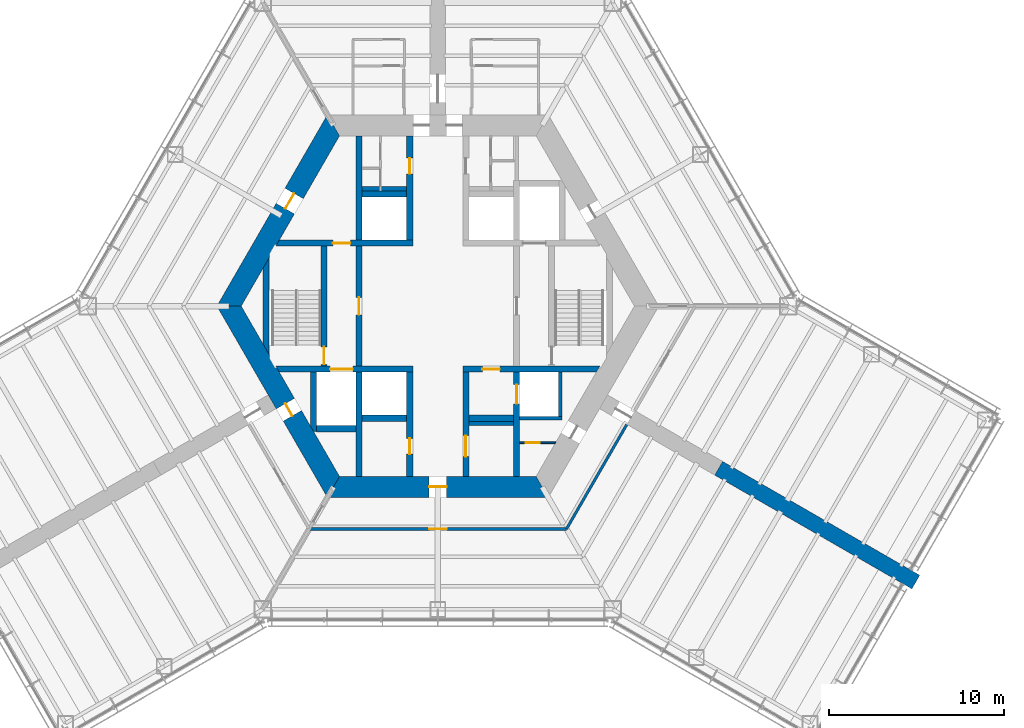
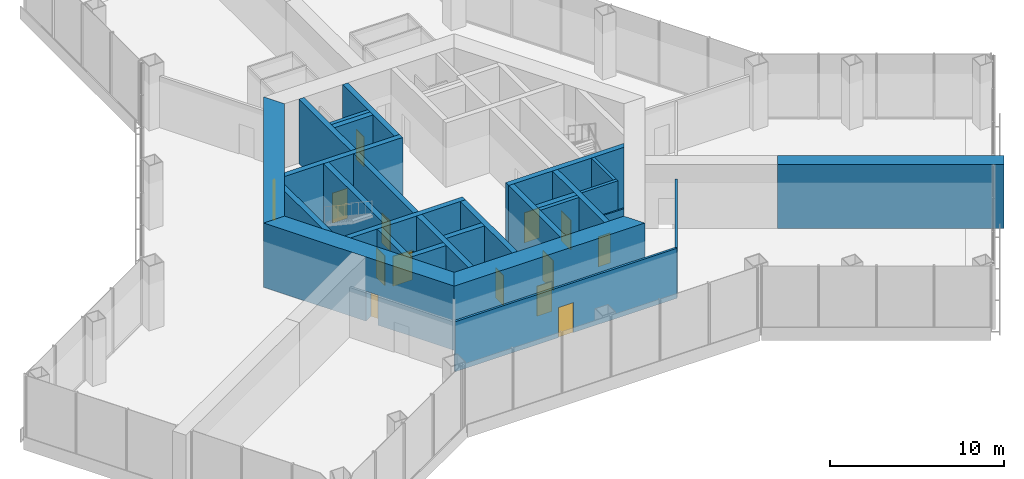
# One storey, part 9 of 13: 28 walls, 14 doors, 14 openings.
"""IFC4 building model written with IfcOpenShell, lengths in metres."""

from ifc_helpers import new_model, si_unit, direction, frame, frame_2d, origin, place, context, subcontext, project, spatial, polyline, rectangle, outline, extrude, material, layer, layer_set, type_object, element, fill, save


model = new_model("IFC4")

# Units and contexts
model_context = context("Model", 3, precision=1e-05, world=origin(), true_north=direction((0.0, 1.0)))
body_context = subcontext(model_context, "Body", "Model", "MODEL_VIEW")
ifc_project = project(units=[si_unit("LENGTHUNIT", "METRE"), si_unit("AREAUNIT", "SQUARE_METRE"), si_unit("VOLUMEUNIT", "CUBIC_METRE"), si_unit("PLANEANGLEUNIT", "RADIAN"), si_unit("MASSUNIT", "GRAM", prefix="KILO")], contexts=[model_context])

# Site, building, storey
site_placement = place(None, origin())
site = spatial("IfcSite", under=ifc_project, at=site_placement, CompositionType="ELEMENT")
building_placement = place(site_placement, origin())
building = spatial("IfcBuilding", under=site, at=building_placement, Name="Kasaneha Research Tower", CompositionType="ELEMENT")
storey_placement = place(building_placement, frame((0.0, 0.0, 5.5)))
storey = spatial("IfcBuildingStorey", under=building, at=storey_placement, Name="L02", CompositionType="ELEMENT", Elevation=5.5)

# Wall, opening, door
ifc_material_1 = material(Name="Concrete Fc100", Category="concrete")
ifc_layer_1 = layer(ifc_material_1, 0.35009765625)
ifc_layer_set_1 = layer_set([ifc_layer_1], Name="Core internal wall 350 Fc100")
wall_type_1 = type_object("IfcWallType", Name="Core internal wall 350 Fc100", PredefinedType="SHEAR", material=ifc_layer_set_1)
wall_1_placement = place(storey_placement, frame((-9.151123046875, 3.60009765625, 0.0), z_axis=(0.0, 0.0, 1.0), x_axis=(1.0, 0.0, 0.0)))
wall_1 = element("IfcWall", 1, at=wall_1_placement, inside=storey, type_object=wall_type_1, Name="Core wall W1W L02", PredefinedType="SHEAR", context=body_context, shape_type="SweptSolid", body=[
    extrude(outline(polyline([(-0.10107421875, -0.175048828125), (3.151123046875, -0.175048828125), (4.151123046875, -0.175048828125), (7.72607421875, -0.175048828125), (7.72607421875, 0.175048828125), (4.151123046875, 0.175048828125), (3.151123046875, 0.175048828125), (0.10107421875, 0.175048828125), (-0.10107421875, -0.175048828125)])), origin(), (0.0, 0.0, 1.0), 4.5),
])
opening_1_placement = place(wall_1_placement, frame((3.151123046875, 0.0, 0.0)))
opening_1 = element("IfcOpeningElement", 2, at=opening_1_placement, cuts=wall_1, Name="Opening L02-D12", PredefinedType="OPENING", context=body_context, shape_type="SweptSolid", body=[
    extrude(rectangle(XDim=1.0, YDim=2.10009765625, at=frame_2d((0.5, 1.050048828125))), frame((0.0, 0.18505859375, 0.0), z_axis=(0.0, -1.0, 0.0), x_axis=(1.0, 0.0, 0.0)), (0.0, 0.0, 1.0), 0.3701171875),
])
ifc_material_2 = material(Name="Steel", Category="steel")
door_type_1 = type_object("IfcDoorType", Name="Specified fire door FD60 1000x2100", OperationType="NOTDEFINED", PredefinedType="DOOR", material=ifc_material_2)
door_1_placement = place(opening_1_placement, origin())
door_1 = element("IfcDoor", 3, at=door_1_placement, inside=storey, type_object=door_type_1, Name="Vestibule to lobby door L02-D12", OperationType="SINGLE_SWING_LEFT", OverallHeight=2.10009765625, OverallWidth=1.0, PredefinedType="DOOR", context=body_context, shape_type="SweptSolid", body=[
    extrude(rectangle(XDim=1.0, YDim=2.10009765625, at=frame_2d((0.5, 1.050048828125))), frame((0.0, 0.02490234375, 0.0), z_axis=(0.0, -1.0, 0.0), x_axis=(1.0, 0.0, 0.0)), (0.0, 0.0, 1.0), 0.050048828125),
])
fill(opening_1, door_1)

wall_2_placement = place(storey_placement, frame((-9.151123046875, -3.60009765625, 0.0), z_axis=(0.0, 0.0, 1.0), x_axis=(1.0, 0.0, 0.0)))
wall_2 = element("IfcWall", 4, at=wall_2_placement, inside=storey, type_object=wall_type_1, Name="Core wall W2W L02", PredefinedType="SHEAR", context=body_context, shape_type="SweptSolid", body=[
    extrude(outline(polyline([(0.10107421875, -0.175048828125), (3.0009765625, -0.175048828125), (4.301025390625, -0.175048828125), (7.72607421875, -0.175048828125), (7.72607421875, 0.175048828125), (4.301025390625, 0.175048828125), (3.0009765625, 0.175048828125), (-0.10107421875, 0.175048828125), (0.10107421875, -0.175048828125)])), origin(), (0.0, 0.0, 1.0), 4.5),
])
opening_2_placement = place(wall_2_placement, frame((3.0009765625, 0.0, 0.0)))
opening_2 = element("IfcOpeningElement", 5, at=opening_2_placement, cuts=wall_2, Name="Opening LD-FL2-L02", PredefinedType="OPENING", context=body_context, shape_type="SweptSolid", body=[
    extrude(rectangle(XDim=1.300048828125, YDim=2.10009765625, at=frame_2d((0.64990234375, 1.050048828125))), frame((0.0, 0.18505859375, 0.0), z_axis=(0.0, -1.0, 0.0), x_axis=(1.0, 0.0, 0.0)), (0.0, 0.0, 1.0), 0.3701171875),
])
ifc_material_3 = material(Name="Steel", Category="steel")
door_type_2 = type_object("IfcDoorType", Name="Lift landing door 1300x2100", OperationType="DOUBLE_DOOR_SLIDING", PredefinedType="DOOR", material=ifc_material_3)
door_2_placement = place(opening_2_placement, origin())
door_2 = element("IfcDoor", 6, at=door_2_placement, inside=storey, type_object=door_type_2, Name="Landing door FL2 LD-FL2-L02", OperationType="DOUBLE_DOOR_SLIDING", OverallHeight=2.10009765625, OverallWidth=1.300048828125, PredefinedType="DOOR", context=body_context, shape_type="SweptSolid", body=[
    extrude(rectangle(XDim=1.300048828125, YDim=2.10009765625, at=frame_2d((0.64990234375, 1.050048828125))), frame((0.0, 0.02490234375, 0.0), z_axis=(0.0, -1.0, 0.0), x_axis=(1.0, 0.0, 0.0)), (0.0, 0.0, 1.0), 0.050048828125),
])
fill(opening_2, door_2)

wall_3_placement = place(storey_placement, frame((1.425048828125, -3.60009765625, 0.0), z_axis=(0.0, 0.0, 1.0), x_axis=(1.0, 0.0, 0.0)))
wall_3 = element("IfcWall", 7, at=wall_3_placement, inside=storey, type_object=wall_type_1, Name="Core wall W2E L02", PredefinedType="SHEAR", context=body_context, shape_type="SweptSolid", body=[
    extrude(outline(polyline([(0.0, -0.175048828125), (1.125, -0.175048828125), (2.125, -0.175048828125), (7.625, -0.175048828125), (7.8271484375, 0.175048828125), (2.125, 0.175048828125), (1.125, 0.175048828125), (0.0, 0.175048828125), (0.0, -0.175048828125)])), origin(), (0.0, 0.0, 1.0), 4.5),
])
opening_3_placement = place(wall_3_placement, frame((1.125, 0.0, 0.0)))
opening_3 = element("IfcOpeningElement", 8, at=opening_3_placement, cuts=wall_3, Name="Opening L02-LV", PredefinedType="OPENING", context=body_context, shape_type="SweptSolid", body=[
    extrude(rectangle(XDim=1.0, YDim=2.10009765625, at=frame_2d((0.5, 1.050048828125))), frame((0.0, 0.18505859375, 0.0), z_axis=(0.0, -1.0, 0.0), x_axis=(1.0, 0.0, 0.0)), (0.0, 0.0, 1.0), 0.3701171875),
])
door_3_placement = place(opening_3_placement, origin())
door_3 = element("IfcDoor", 9, at=door_3_placement, inside=storey, type_object=door_type_1, Name="Podium vestibule door L02-LV", OperationType="SINGLE_SWING_LEFT", OverallHeight=2.10009765625, OverallWidth=1.0, PredefinedType="DOOR", context=body_context, shape_type="SweptSolid", body=[
    extrude(rectangle(XDim=1.0, YDim=2.10009765625, at=frame_2d((0.5, 1.050048828125))), frame((0.0, 0.02490234375, 0.0), z_axis=(0.0, -1.0, 0.0), x_axis=(1.0, 0.0, 0.0)), (0.0, 0.0, 1.0), 0.050048828125),
])
fill(opening_3, door_3)

wall_4_placement = place(storey_placement, frame((-1.60009765625, 3.77490234375, 0.0), z_axis=(0.0, 0.0, 1.0), x_axis=(0.0, 1.0, 0.0)))
wall_4 = element("IfcWall", 10, at=wall_4_placement, inside=storey, type_object=wall_type_1, Name="Core wall CNW L02", PredefinedType="SHEAR", context=body_context, shape_type="SweptSolid", body=[
    extrude(rectangle(XDim=5.9501953125, YDim=0.35009765625, at=frame_2d((2.97509765625, 0.0))), origin(), (0.0, 0.0, 1.0), 4.5),
])
opening_4_placement = place(wall_4_placement, frame((3.77490234375, 0.0, 0.0)))
opening_4 = element("IfcOpeningElement", 11, at=opening_4_placement, cuts=wall_4, Name="Opening L02-D13", PredefinedType="OPENING", context=body_context, shape_type="SweptSolid", body=[
    extrude(rectangle(XDim=0.89990234375, YDim=2.10009765625, at=frame_2d((0.449951171875, 1.050048828125))), frame((0.0, 0.18505859375, 0.0), z_axis=(0.0, -1.0, 0.0), x_axis=(1.0, 0.0, 0.0)), (0.0, 0.0, 1.0), 0.3701171875),
])
ifc_material_4 = material(Name="Steel", Category="steel")
door_type_3 = type_object("IfcDoorType", Name="Toilet door FD20 900x2100", OperationType="NOTDEFINED", PredefinedType="DOOR", material=ifc_material_4)
door_4_placement = place(opening_4_placement, origin())
door_4 = element("IfcDoor", 12, at=door_4_placement, inside=storey, type_object=door_type_3, Name="Men's WC door L02-D13", OperationType="SINGLE_SWING_LEFT", OverallHeight=2.10009765625, OverallWidth=0.89990234375, PredefinedType="DOOR", context=body_context, shape_type="SweptSolid", body=[
    extrude(rectangle(XDim=0.89990234375, YDim=2.10009765625, at=frame_2d((0.449951171875, 1.050048828125))), frame((0.0, 0.02490234375, 0.0), z_axis=(0.0, -1.0, 0.0), x_axis=(1.0, 0.0, 0.0)), (0.0, 0.0, 1.0), 0.050048828125),
])
fill(opening_4, door_4)

wall_5_placement = place(storey_placement, frame((-1.60009765625, -3.77490234375, 0.0), z_axis=(0.0, 0.0, 1.0), x_axis=(0.0, -1.0, 0.0)))
wall_5 = element("IfcWall", 13, at=wall_5_placement, inside=storey, type_object=wall_type_1, Name="Core wall CSW L02", PredefinedType="SHEAR", context=body_context, shape_type="SweptSolid", body=[
    extrude(rectangle(XDim=5.9501953125, YDim=0.35009765625, at=frame_2d((2.97509765625, 0.0))), origin(), (0.0, 0.0, 1.0), 4.5),
])
opening_5_placement = place(wall_5_placement, frame((3.77490234375, 0.0, 0.0)))
opening_5 = element("IfcOpeningElement", 14, at=opening_5_placement, cuts=wall_5, Name="Opening L02-D16", PredefinedType="OPENING", context=body_context, shape_type="SweptSolid", body=[
    extrude(rectangle(XDim=0.89990234375, YDim=2.10009765625, at=frame_2d((0.449951171875, 1.050048828125))), frame((0.0, 0.18505859375, 0.0), z_axis=(0.0, -1.0, 0.0), x_axis=(1.0, 0.0, 0.0)), (0.0, 0.0, 1.0), 0.3701171875),
])
ifc_material_5 = material(Name="Steel", Category="steel")
door_type_4 = type_object("IfcDoorType", Name="Riser access door FD60 900x2100", OperationType="NOTDEFINED", PredefinedType="DOOR", material=ifc_material_5)
door_5_placement = place(opening_5_placement, origin())
door_5 = element("IfcDoor", 15, at=door_5_placement, inside=storey, type_object=door_type_4, Name="Electrical riser door L02-D16", OperationType="SINGLE_SWING_LEFT", OverallHeight=2.10009765625, OverallWidth=0.89990234375, PredefinedType="DOOR", context=body_context, shape_type="SweptSolid", body=[
    extrude(rectangle(XDim=0.89990234375, YDim=2.10009765625, at=frame_2d((0.449951171875, 1.050048828125))), frame((0.0, 0.02490234375, 0.0), z_axis=(0.0, -1.0, 0.0), x_axis=(1.0, 0.0, 0.0)), (0.0, 0.0, 1.0), 0.050048828125),
])
fill(opening_5, door_5)

wall_6_placement = place(storey_placement, frame((1.60009765625, -3.77490234375, 0.0), z_axis=(0.0, 0.0, 1.0), x_axis=(0.0, -1.0, 0.0)))
wall_6 = element("IfcWall", 16, at=wall_6_placement, inside=storey, type_object=wall_type_1, Name="Core wall CSE L02", PredefinedType="SHEAR", context=body_context, shape_type="SweptSolid", body=[
    extrude(rectangle(XDim=5.9501953125, YDim=0.35009765625, at=frame_2d((2.97509765625, 0.0))), origin(), (0.0, 0.0, 1.0), 4.5),
])
opening_6_placement = place(wall_6_placement, frame((3.625, 0.0, 0.0)))
opening_6 = element("IfcOpeningElement", 17, at=opening_6_placement, cuts=wall_6, Name="Opening L02-D15", PredefinedType="OPENING", context=body_context, shape_type="SweptSolid", body=[
    extrude(rectangle(XDim=1.199951171875, YDim=2.10009765625, at=frame_2d((0.60009765625, 1.050048828125))), frame((0.0, 0.18505859375, 0.0), z_axis=(0.0, -1.0, 0.0), x_axis=(1.0, 0.0, 0.0)), (0.0, 0.0, 1.0), 0.3701171875),
])
ifc_material_6 = material(Name="Steel", Category="steel")
door_type_5 = type_object("IfcDoorType", Name="Accessible toilet sliding door FD20 1200x2100", OperationType="SLIDING_TO_LEFT", PredefinedType="DOOR", material=ifc_material_6)
door_6_placement = place(opening_6_placement, origin())
door_6 = element("IfcDoor", 18, at=door_6_placement, inside=storey, type_object=door_type_5, Name="Accessible WC door L02-D15", OperationType="SLIDING_TO_LEFT", OverallHeight=2.10009765625, OverallWidth=1.199951171875, PredefinedType="DOOR", context=body_context, shape_type="SweptSolid", body=[
    extrude(rectangle(XDim=1.199951171875, YDim=2.10009765625, at=frame_2d((0.60009765625, 1.050048828125))), frame((0.0, 0.02490234375, 0.0), z_axis=(0.0, -1.0, 0.0), x_axis=(1.0, 0.0, 0.0)), (0.0, 0.0, 1.0), 0.050048828125),
])
fill(opening_6, door_6)

wall_7_placement = place(storey_placement, frame((-4.5, -3.425048828125, 0.0), z_axis=(0.0, 0.0, 1.0), x_axis=(0.0, 1.0, 0.0)))
wall_7 = element("IfcWall", 19, at=wall_7_placement, inside=storey, type_object=wall_type_1, Name="Core wall LBW L02", PredefinedType="SHEAR", context=body_context, shape_type="SweptSolid", body=[
    extrude(rectangle(XDim=6.85009765625, YDim=0.35009765625, at=frame_2d((3.425048828125, 0.0))), origin(), (0.0, 0.0, 1.0), 4.5),
])
opening_7_placement = place(wall_7_placement, frame((2.925048828125, 0.0, 0.0)))
opening_7 = element("IfcOpeningElement", 20, at=opening_7_placement, cuts=wall_7, Name="Opening L02-D09", PredefinedType="OPENING", context=body_context, shape_type="SweptSolid", body=[
    extrude(rectangle(XDim=1.0, YDim=2.10009765625, at=frame_2d((0.5, 1.050048828125))), frame((0.0, 0.18505859375, 0.0), z_axis=(0.0, -1.0, 0.0), x_axis=(1.0, 0.0, 0.0)), (0.0, 0.0, 1.0), 0.3701171875),
])
door_7_placement = place(opening_7_placement, origin())
door_7 = element("IfcDoor", 21, at=door_7_placement, inside=storey, type_object=door_type_1, Name="Lift lobby door west L02-D09", OperationType="SINGLE_SWING_LEFT", OverallHeight=2.10009765625, OverallWidth=1.0, PredefinedType="DOOR", context=body_context, shape_type="SweptSolid", body=[
    extrude(rectangle(XDim=1.0, YDim=2.10009765625, at=frame_2d((0.5, 1.050048828125))), frame((0.0, 0.02490234375, 0.0), z_axis=(0.0, -1.0, 0.0), x_axis=(1.0, 0.0, 0.0)), (0.0, 0.0, 1.0), 0.050048828125),
])
fill(opening_7, door_7)

wall_8_placement = place(storey_placement, frame((-6.5, -3.425048828125, 0.0), z_axis=(0.0, 0.0, 1.0), x_axis=(0.0, 1.0, 0.0)))
wall_8 = element("IfcWall", 22, at=wall_8_placement, inside=storey, type_object=wall_type_1, Name="Core wall ANW L02", PredefinedType="SHEAR", context=body_context, shape_type="SweptSolid", body=[
    extrude(rectangle(XDim=6.85009765625, YDim=0.35009765625, at=frame_2d((3.425048828125, 0.0))), origin(), (0.0, 0.0, 1.0), 4.5),
])
opening_8_placement = place(wall_8_placement, frame((0.10009765625, 0.0, 0.0)))
opening_8 = element("IfcOpeningElement", 23, at=opening_8_placement, cuts=wall_8, Name="Opening L02-D11", PredefinedType="OPENING", context=body_context, shape_type="SweptSolid", body=[
    extrude(rectangle(XDim=1.0, YDim=2.10009765625, at=frame_2d((0.5, 1.050048828125))), frame((0.0, 0.18505859375, 0.0), z_axis=(0.0, -1.0, 0.0), x_axis=(1.0, 0.0, 0.0)), (0.0, 0.0, 1.0), 0.3701171875),
])
door_8_placement = place(opening_8_placement, origin())
door_8 = element("IfcDoor", 24, at=door_8_placement, inside=storey, type_object=door_type_1, Name="Stair 2 door L02-D11", OperationType="SINGLE_SWING_LEFT", OverallHeight=2.10009765625, OverallWidth=1.0, PredefinedType="DOOR", context=body_context, shape_type="SweptSolid", body=[
    extrude(rectangle(XDim=1.0, YDim=2.10009765625, at=frame_2d((0.5, 1.050048828125))), frame((0.0, 0.02490234375, 0.0), z_axis=(0.0, -1.0, 0.0), x_axis=(1.0, 0.0, 0.0)), (0.0, 0.0, 1.0), 0.050048828125),
])
fill(opening_8, door_8)

# Walls
for number, where, z_axis, x_axis, name in (
    (25, (-4.5, 3.77490234375, 0.0), (0.0, 0.0, 1.0), (0.0, 1.0, 0.0), "Core wall VNW L02"),
    (26, (-4.5, -3.77490234375, 0.0), (0.0, 0.0, 1.0), (0.0, -1.0, 0.0), "Core wall SSW L02"),
):
    element("IfcWall", number, at=place(storey_placement, frame(where, z_axis=z_axis, x_axis=x_axis)), inside=storey, type_object=wall_type_1, Name=name, PredefinedType="SHEAR", context=body_context, shape_type="SweptSolid", body=[
        extrude(rectangle(XDim=5.9501953125, YDim=0.35009765625, at=frame_2d((2.97509765625, 0.0))), origin(), (0.0, 0.0, 1.0), 4.5),
    ])

# Wall, opening, door
wall_9_placement = place(storey_placement, frame((4.5, -3.77490234375, 0.0), z_axis=(0.0, 0.0, 1.0), x_axis=(0.0, -1.0, 0.0)))
wall_9 = element("IfcWall", 27, at=wall_9_placement, inside=storey, type_object=wall_type_1, Name="Core wall SSE L02", PredefinedType="SHEAR", context=body_context, shape_type="SweptSolid", body=[
    extrude(rectangle(XDim=5.9501953125, YDim=0.35009765625, at=frame_2d((2.97509765625, 0.0))), origin(), (0.0, 0.0, 1.0), 4.5),
])
opening_9_placement = place(wall_9_placement, frame((0.71240234375, 0.0, 0.0)))
opening_9 = element("IfcOpeningElement", 28, at=opening_9_placement, cuts=wall_9, Name="Opening LD-PL1-L02", PredefinedType="OPENING", context=body_context, shape_type="SweptSolid", body=[
    extrude(rectangle(XDim=1.10009765625, YDim=2.10009765625, at=frame_2d((0.550048828125, 1.050048828125))), frame((0.0, 0.18505859375, 0.0), z_axis=(0.0, -1.0, 0.0), x_axis=(1.0, 0.0, 0.0)), (0.0, 0.0, 1.0), 0.3701171875),
])
ifc_material_7 = material(Name="Steel", Category="steel")
door_type_6 = type_object("IfcDoorType", Name="Lift landing door 1100x2100", OperationType="DOUBLE_DOOR_SLIDING", PredefinedType="DOOR", material=ifc_material_7)
door_9_placement = place(opening_9_placement, origin())
door_9 = element("IfcDoor", 29, at=door_9_placement, inside=storey, type_object=door_type_6, Name="Landing door PL1 LD-PL1-L02", OperationType="DOUBLE_DOOR_SLIDING", OverallHeight=2.10009765625, OverallWidth=1.10009765625, PredefinedType="DOOR", context=body_context, shape_type="SweptSolid", body=[
    extrude(rectangle(XDim=1.10009765625, YDim=2.10009765625, at=frame_2d((0.550048828125, 1.050048828125))), frame((0.0, 0.02490234375, 0.0), z_axis=(0.0, -1.0, 0.0), x_axis=(1.0, 0.0, 0.0)), (0.0, 0.0, 1.0), 0.050048828125),
])
fill(opening_9, door_9)

# Walls
for number, where, z_axis, x_axis, name in (
    (30, (-4.324951171875, 6.39990234375, 0.0), (0.0, 0.0, 1.0), (1.0, 0.0, 0.0), "Core wall N1N L02"),
    (31, (-4.324951171875, -6.39990234375, 0.0), (0.0, 0.0, 1.0), (1.0, 0.0, 0.0), "Core wall S1S L02"),
    (32, (1.77490234375, -6.39990234375, 0.0), (0.0, 0.0, 1.0), (1.0, 0.0, 0.0), "Core wall S3S L02"),
):
    element("IfcWall", number, at=place(storey_placement, frame(where, z_axis=z_axis, x_axis=x_axis)), inside=storey, type_object=wall_type_1, Name=name, PredefinedType="SHEAR", context=body_context, shape_type="SweptSolid", body=[
        extrude(rectangle(XDim=2.550048828125, YDim=0.35009765625, at=frame_2d((1.27490234375, 0.0))), origin(), (0.0, 0.0, 1.0), 4.5),
    ])
wall_10_placement = place(storey_placement, frame((-6.925048828125, -7.0, 0.0), z_axis=(0.0, 0.0, 1.0), x_axis=(1.0, 0.0, 0.0)))
element("IfcWall", 33, at=wall_10_placement, inside=storey, type_object=wall_type_1, Name="Core wall F2S L02", PredefinedType="SHEAR", context=body_context, shape_type="SweptSolid", body=[
    extrude(rectangle(XDim=2.25, YDim=0.35009765625, at=frame_2d((1.125, 0.0))), origin(), (0.0, 0.0, 1.0), 4.5),
])
wall_11_placement = place(storey_placement, frame((-7.10009765625, -3.77490234375, 0.0), z_axis=(0.0, 0.0, 1.0), x_axis=(0.0, -1.0, 0.0)))
element("IfcWall", 34, at=wall_11_placement, inside=storey, type_object=wall_type_1, Name="Core wall F2W L02", PredefinedType="SHEAR", context=body_context, shape_type="SweptSolid", body=[
    extrude(outline(polyline([(0.0, -0.175048828125), (3.07421875, -0.175048828125), (3.37744140625, 0.0), (3.39990234375, 0.175048828125), (0.0, 0.175048828125), (0.0, -0.175048828125)])), origin(), (0.0, 0.0, 1.0), 4.5),
])
wall_12_placement = place(storey_placement, frame((-9.807861328125, -2.462158203125, 0.0), z_axis=(0.0, 0.0, 1.0), x_axis=(0.0, 1.0, 0.0)))
element("IfcWall", 35, at=wall_12_placement, inside=storey, type_object=wall_type_1, Name="Core wall STW L02", PredefinedType="SHEAR", context=body_context, shape_type="SweptSolid", body=[
    extrude(outline(polyline([(-0.30322265625, -0.175048828125), (5.2275390625, -0.175048828125), (4.62109375, 0.175048828125), (0.30322265625, 0.175048828125), (-0.30322265625, -0.175048828125)])), origin(), (0.0, 0.0, 1.0), 4.5),
])

# Wall, opening, door
ifc_material_8 = material(Name="Concrete Fc100", Category="concrete")
ifc_layer_2 = layer(ifc_material_8, 1.199951171875)
ifc_layer_set_2 = layer_set([ifc_layer_2], Name="Core wall 1200 Fc100")
wall_type_2 = type_object("IfcWallType", Name="Core wall 1200 Fc100", PredefinedType="SHEAR", material=ifc_layer_set_2)
wall_13_placement = place(storey_placement, frame((-5.961181640625, 10.324951171875, 0.0), z_axis=(0.0, 0.0, 1.0), x_axis=(-0.500004296715, -0.866022923061, 0.0)))
wall_13 = element("IfcWall", 36, at=wall_13_placement, inside=storey, type_object=wall_type_2, Name="Core wall 150 L02", PredefinedType="SHEAR", context=body_context, shape_type="SweptSolid", body=[
    extrude(outline(polyline([(-0.346435546875, -0.60009765625), (4.494140625, -0.60009765625), (5.494140625, -0.60009765625), (12.268798828125, -0.60009765625), (11.575927734375, 0.60009765625), (5.494140625, 0.60009765625), (4.494140625, 0.60009765625), (0.346435546875, 0.60009765625), (-0.346435546875, -0.60009765625)])), origin(), (0.0, 0.0, 1.0), 4.5),
])
opening_10_placement = place(wall_13_placement, frame((4.494140625, 0.0, 0.0)))
opening_10 = element("IfcOpeningElement", 37, at=opening_10_placement, cuts=wall_13, Name="Opening L02-D07", PredefinedType="OPENING", context=body_context, shape_type="SweptSolid", body=[
    extrude(rectangle(XDim=1.0, YDim=2.10009765625, at=frame_2d((0.5, 1.050048828125))), frame((0.0, 0.60986328125, 0.0), z_axis=(0.0, -1.0, 0.0), x_axis=(1.0, 0.0, 0.0)), (0.0, 0.0, 1.0), 1.219970703125),
])
ifc_material_9 = material(Name="Steel", Category="steel")
door_type_7 = type_object("IfcDoorType", Name="Fire door FD20 1000x2100", OperationType="NOTDEFINED", PredefinedType="DOOR", material=ifc_material_9)
door_10_placement = place(opening_10_placement, origin())
door_10 = element("IfcDoor", 38, at=door_10_placement, inside=storey, type_object=door_type_7, Name="Vestibule door L02-D07", OperationType="SINGLE_SWING_LEFT", OverallHeight=2.10009765625, OverallWidth=1.0, PredefinedType="DOOR", context=body_context, shape_type="SweptSolid", body=[
    extrude(rectangle(XDim=1.0, YDim=2.10009765625, at=frame_2d((0.5, 1.050048828125))), frame((0.0, 0.02490234375, 0.0), z_axis=(0.0, -1.0, 0.0), x_axis=(1.0, 0.0, 0.0)), (0.0, 0.0, 1.0), 0.050048828125),
])
fill(opening_10, door_10)

wall_14_placement = place(storey_placement, frame((-11.92236328125, 0.0, 0.0), z_axis=(0.0, 0.0, 1.0), x_axis=(0.500004296715, -0.866022923061, 0.0)))
wall_14 = element("IfcWall", 39, at=wall_14_placement, inside=storey, type_object=wall_type_2, Name="Core wall 210 L02", PredefinedType="SHEAR", context=body_context, shape_type="SweptSolid", body=[
    extrude(outline(polyline([(-0.346435546875, -0.60009765625), (6.43115234375, -0.60009765625), (7.231201171875, -0.60009765625), (12.268798828125, -0.60009765625), (11.575927734375, 0.60009765625), (7.231201171875, 0.60009765625), (6.43115234375, 0.60009765625), (0.346435546875, 0.60009765625), (-0.346435546875, -0.60009765625)])), origin(), (0.0, 0.0, 1.0), 4.5),
])
opening_11_placement = place(wall_14_placement, frame((6.43115234375, 0.0, 0.0)))
opening_11 = element("IfcOpeningElement", 40, at=opening_11_placement, cuts=wall_14, Name="Opening L02-D06", PredefinedType="OPENING", context=body_context, shape_type="SweptSolid", body=[
    extrude(rectangle(XDim=0.800048828125, YDim=2.10009765625, at=frame_2d((0.39990234375, 1.050048828125))), frame((0.0, 0.60986328125, 0.0), z_axis=(0.0, -1.0, 0.0), x_axis=(1.0, 0.0, 0.0)), (0.0, 0.0, 1.0), 1.219970703125),
])
ifc_material_10 = material(Name="Steel", Category="steel")
door_type_8 = type_object("IfcDoorType", Name="Riser access door FD60 800x2100", OperationType="NOTDEFINED", PredefinedType="DOOR", material=ifc_material_10)
door_11_placement = place(opening_11_placement, origin())
door_11 = element("IfcDoor", 41, at=door_11_placement, inside=storey, type_object=door_type_8, Name="Duct riser door L02-D06", OperationType="SINGLE_SWING_RIGHT", OverallHeight=2.10009765625, OverallWidth=0.800048828125, PredefinedType="DOOR", context=body_context, shape_type="SweptSolid", body=[
    extrude(rectangle(XDim=0.800048828125, YDim=2.10009765625, at=frame_2d((0.39990234375, 1.050048828125))), frame((0.0, 0.02490234375, 0.0), z_axis=(0.0, -1.0, 0.0), x_axis=(1.0, 0.0, 0.0)), (0.0, 0.0, 1.0), 0.050048828125),
])
fill(opening_11, door_11)

wall_15_placement = place(storey_placement, frame((-5.961181640625, -10.324951171875, 0.0), z_axis=(0.0, 0.0, 1.0), x_axis=(1.0, 0.0, 0.0)))
wall_15 = element("IfcWall", 42, at=wall_15_placement, inside=storey, type_object=wall_type_2, Name="Core wall 270 L02", PredefinedType="SHEAR", context=body_context, shape_type="SweptSolid", body=[
    extrude(outline(polyline([(-0.346435546875, -0.60009765625), (5.461181640625, -0.60009765625), (6.461181640625, -0.60009765625), (12.268798828125, -0.60009765625), (11.575927734375, 0.60009765625), (6.461181640625, 0.60009765625), (5.461181640625, 0.60009765625), (0.346435546875, 0.60009765625), (-0.346435546875, -0.60009765625)])), origin(), (0.0, 0.0, 1.0), 4.5),
])
opening_12_placement = place(wall_15_placement, frame((5.461181640625, 0.0, 0.0)))
opening_12 = element("IfcOpeningElement", 43, at=opening_12_placement, cuts=wall_15, Name="Opening L02-D03", PredefinedType="OPENING", context=body_context, shape_type="SweptSolid", body=[
    extrude(rectangle(XDim=1.0, YDim=2.10009765625, at=frame_2d((0.5, 1.050048828125))), frame((0.0, 0.60986328125, 0.0), z_axis=(0.0, -1.0, 0.0), x_axis=(1.0, 0.0, 0.0)), (0.0, 0.0, 1.0), 1.219970703125),
])
door_12_placement = place(opening_12_placement, origin())
door_12 = element("IfcDoor", 44, at=door_12_placement, inside=storey, type_object=door_type_7, Name="Core door south L02-D03", OperationType="SINGLE_SWING_LEFT", OverallHeight=2.10009765625, OverallWidth=1.0, PredefinedType="DOOR", context=body_context, shape_type="SweptSolid", body=[
    extrude(rectangle(XDim=1.0, YDim=2.10009765625, at=frame_2d((0.5, 1.050048828125))), frame((0.0, 0.02490234375, 0.0), z_axis=(0.0, -1.0, 0.0), x_axis=(1.0, 0.0, 0.0)), (0.0, 0.0, 1.0), 0.050048828125),
])
fill(opening_12, door_12)

# Walls
ifc_material_11 = material(Name="Concrete block", Category="concrete")
ifc_layer_3 = layer(ifc_material_11, 0.199951171875)
ifc_layer_set_3 = layer_set([ifc_layer_3], Name="Lift shaft wall 200")
wall_type_3 = type_object("IfcWallType", Name="Lift shaft wall 200", PredefinedType="STANDARD", material=ifc_layer_set_3)
wall_16_placement = place(storey_placement, frame((4.675048828125, -6.39990234375, 0.0), z_axis=(0.0, 0.0, 1.0), x_axis=(1.0, 0.0, 0.0)))
element("IfcWall", 45, at=wall_16_placement, inside=storey, type_object=wall_type_3, Name="Lift shaft wall P1S L02", PredefinedType="STANDARD", context=body_context, shape_type="SweptSolid", body=[
    extrude(rectangle(XDim=2.425048828125, YDim=0.199951171875, at=frame_2d((1.21240234375, 0.0))), origin(), (0.0, 0.0, 1.0), 4.5),
])
wall_17_placement = place(storey_placement, frame((7.0, -3.77490234375, 0.0), z_axis=(0.0, 0.0, 1.0), x_axis=(0.0, -1.0, 0.0)))
element("IfcWall", 46, at=wall_17_placement, inside=storey, type_object=wall_type_3, Name="Lift shaft wall P1E L02", PredefinedType="STANDARD", context=body_context, shape_type="SweptSolid", body=[
    extrude(rectangle(XDim=2.525146484375, YDim=0.199951171875, at=frame_2d((1.2626953125, 0.0))), origin(), (0.0, 0.0, 1.0), 4.5),
])

# Wall, opening, door
ifc_material_12 = material(Name="Gypsum board on steel studs, one layer each side", Category="steel")
ifc_layer_4 = layer(ifc_material_12, 0.10009765625)
ifc_layer_set_4 = layer_set([ifc_layer_4], Name="Office partition 100")
wall_type_4 = type_object("IfcWallType", Name="Office partition 100", PredefinedType="PARTITIONING", material=ifc_layer_set_4)
wall_18_placement = place(storey_placement, frame((4.675048828125, -7.800048828125, 0.0), z_axis=(0.0, 0.0, 1.0), x_axis=(1.0, 0.0, 0.0)))
wall_18 = element("IfcWall", 47, at=wall_18_placement, inside=storey, type_object=wall_type_4, Name="Office partition RS-SE L02", PredefinedType="PARTITIONING", context=body_context, shape_type="SweptSolid", body=[
    extrude(outline(polyline([(0.0, -0.050048828125), (0.35009765625, -0.050048828125), (1.150146484375, -0.050048828125), (2.022216796875, -0.050048828125), (2.051025390625, 0.0), (2.056884765625, 0.050048828125), (1.150146484375, 0.050048828125), (0.35009765625, 0.050048828125), (0.0, 0.050048828125), (0.0, -0.050048828125)])), origin(), (0.0, 0.0, 1.0), 3.5),
])
opening_13_placement = place(wall_18_placement, frame((0.35009765625, 0.0, 0.0)))
opening_13 = element("IfcOpeningElement", 48, at=opening_13_placement, cuts=wall_18, Name="Opening L02-D24", PredefinedType="OPENING", context=body_context, shape_type="SweptSolid", body=[
    extrude(rectangle(XDim=0.800048828125, YDim=2.10009765625, at=frame_2d((0.39990234375, 1.050048828125))), frame((0.0, 0.06005859375, 0.0), z_axis=(0.0, -1.0, 0.0), x_axis=(1.0, 0.0, 0.0)), (0.0, 0.0, 1.0), 0.1201171875),
])
door_13_placement = place(opening_13_placement, origin())
door_13 = element("IfcDoor", 49, at=door_13_placement, inside=storey, type_object=door_type_8, Name="Drainage riser door L02-D24", OperationType="SINGLE_SWING_LEFT", OverallHeight=2.10009765625, OverallWidth=0.800048828125, PredefinedType="DOOR", context=body_context, shape_type="SweptSolid", body=[
    extrude(rectangle(XDim=0.800048828125, YDim=2.10009765625, at=frame_2d((0.39990234375, 1.050048828125))), frame((0.0, 0.02490234375, 0.0), z_axis=(0.0, -1.0, 0.0), x_axis=(1.0, 0.0, 0.0)), (0.0, 0.0, 1.0), 0.050048828125),
])
fill(opening_13, door_13)

# Wall
ifc_material_13 = material(Name="Concrete Fc100", Category="concrete")
ifc_layer_5 = layer(ifc_material_13, 0.89990234375)
ifc_layer_set_5 = layer_set([ifc_layer_5], Name="Spine wall 900 Fc100")
wall_type_5 = type_object("IfcWallType", Name="Spine wall 900 Fc100", PredefinedType="SHEAR", material=ifc_layer_set_5)
wall_19_placement = place(storey_placement, frame((16.039306640625, -9.26025390625, 0.0), z_axis=(0.0, 0.0, 1.0), x_axis=(0.866024837091, -0.50000098154, 0.0)))
element("IfcWall", 50, at=wall_19_placement, inside=storey, type_object=wall_type_5, Name="Spine wall C wing L02", PredefinedType="SHEAR", context=body_context, shape_type="SweptSolid", body=[
    extrude(rectangle(XDim=13.0, YDim=0.89990234375, at=frame_2d((6.5, 0.0))), origin(), (0.0, 0.0, 1.0), 4.5),
])

# Wall, opening, door
ifc_material_14 = material(Name="Gypsum board on steel studs, two layers each side", Category="steel")
ifc_layer_6 = layer(ifc_material_14, 0.14990234375)
ifc_layer_set_6 = layer_set([ifc_layer_6], Name="Suite partition 150")
wall_type_6 = type_object("IfcWallType", Name="Suite partition 150", PredefinedType="PARTITIONING", material=ifc_layer_set_6)
wall_20_placement = place(storey_placement, frame((7.3466796875, -12.72509765625, 0.0), z_axis=(0.0, 0.0, 1.0), x_axis=(-1.0, 0.0, 0.0)))
wall_20 = element("IfcWall", 51, at=wall_20_placement, inside=storey, type_object=wall_type_6, Name="Suite partition FCS01 L02", PredefinedType="PARTITIONING", context=body_context, shape_type="SweptSolid", body=[
    extrude(rectangle(XDim=14.67041015625, YDim=0.14990234375, at=frame_2d((7.335205078125, 0.0))), origin(), (0.0, 0.0, 1.0), 3.5),
])
opening_14_placement = place(wall_20_placement, frame((6.835205078125, 0.0, 0.0)))
opening_14 = element("IfcOpeningElement", 52, at=opening_14_placement, cuts=wall_20, Name="Opening L02-D34", PredefinedType="OPENING", context=body_context, shape_type="SweptSolid", body=[
    extrude(rectangle(XDim=1.0, YDim=2.10009765625, at=frame_2d((0.5, 1.050048828125))), frame((0.0, 0.0849609375, 0.0), z_axis=(0.0, -1.0, 0.0), x_axis=(1.0, 0.0, 0.0)), (0.0, 0.0, 1.0), 0.169921875),
])
ifc_material_15 = material(Name="Steel", Category="steel")
door_type_9 = type_object("IfcDoorType", Name="Suite entrance door FD60 1000x2100", OperationType="NOTDEFINED", PredefinedType="DOOR", material=ifc_material_15)
door_14_placement = place(opening_14_placement, origin())
door_14 = element("IfcDoor", 53, at=door_14_placement, inside=storey, type_object=door_type_9, Name="Suite entrance door L02-D34", OperationType="SINGLE_SWING_RIGHT", OverallHeight=2.10009765625, OverallWidth=1.0, PredefinedType="DOOR", context=body_context, shape_type="SweptSolid", body=[
    extrude(rectangle(XDim=1.0, YDim=2.10009765625, at=frame_2d((0.5, 1.050048828125))), frame((0.0, 0.02490234375, 0.0), z_axis=(0.0, -1.0, 0.0), x_axis=(1.0, 0.0, 0.0)), (0.0, 0.0, 1.0), 0.050048828125),
])
fill(opening_14, door_14)

# Walls
wall_21_placement = place(storey_placement, frame((10.78515625, -6.76953125, 0.0), z_axis=(0.0, 0.0, 1.0), x_axis=(-0.500003129455, -0.866023596985, 0.0)))
element("IfcWall", 54, at=wall_21_placement, inside=storey, type_object=wall_type_6, Name="Suite partition FCS02 L02", PredefinedType="PARTITIONING", context=body_context, shape_type="SweptSolid", body=[
    extrude(rectangle(XDim=6.876953125, YDim=0.14990234375, at=frame_2d((3.4384765625, 0.0))), origin(), (0.0, 0.0, 1.0), 3.5),
])
ifc_material_16 = material(Name="Concrete block lining", Category="concrete")
ifc_layer_7 = layer(ifc_material_16, 0.25)
ifc_layer_set_7 = layer_set([ifc_layer_7], Name="WC plumbing wall 250")
wall_type_7 = type_object("IfcWallType", Name="WC plumbing wall 250", PredefinedType="PLUMBINGWALL", material=ifc_layer_set_7)
for number, where, z_axis, x_axis, name in (
    (55, (-4.324951171875, 6.699951171875, 0.0), (0.0, 0.0, 1.0), (1.0, 0.0, 0.0), "WC plumbing wall M L02"),
    (56, (1.77490234375, -6.699951171875, 0.0), (0.0, 0.0, 1.0), (1.0, 0.0, 0.0), "WC plumbing wall A L02"),
):
    element("IfcWall", number, at=place(storey_placement, frame(where, z_axis=z_axis, x_axis=x_axis)), inside=storey, type_object=wall_type_7, Name=name, PredefinedType="PLUMBINGWALL", context=body_context, shape_type="SweptSolid", body=[
        extrude(rectangle(XDim=2.550048828125, YDim=0.25, at=frame_2d((1.27490234375, 0.0))), origin(), (0.0, 0.0, 1.0), 4.5),
    ])

save(model, "model.ifc")
